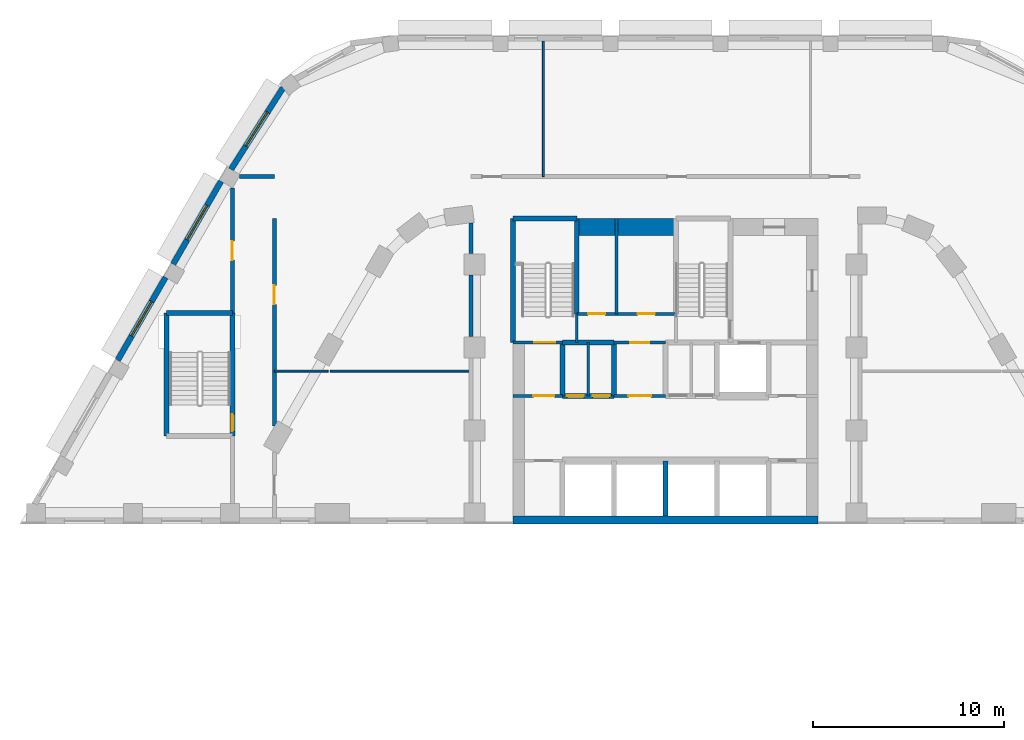
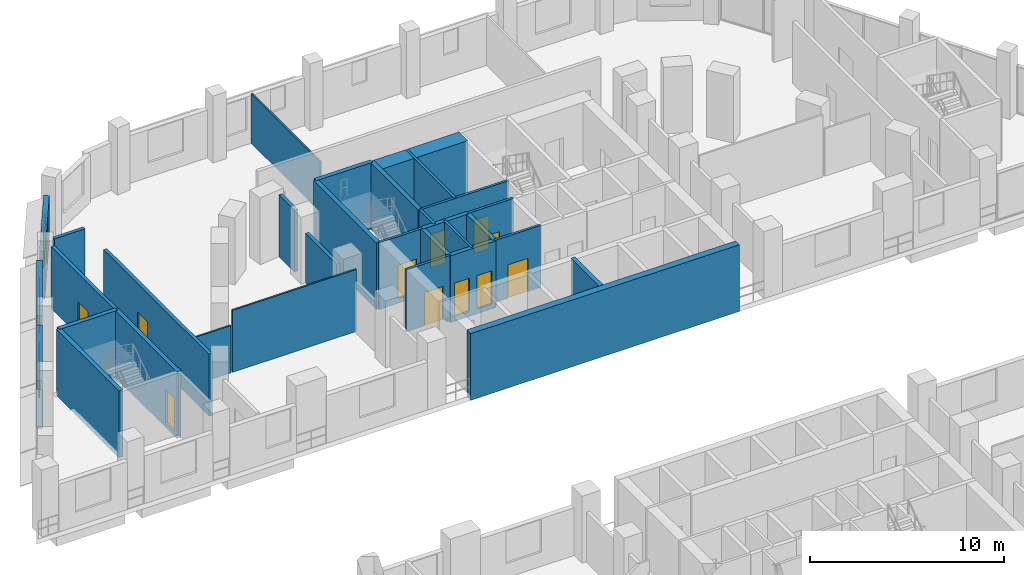
# One storey, part 17 of 45: 32 walls, 11 doors, 3 windows, 14 openings.
"""IFC4 building model written with IfcOpenShell, lengths in metres."""

from ifc_helpers import new_model, si_unit, direction, frame, frame_2d, origin, place, context, subcontext, project, spatial, rectangle, extrude, material, layer, layer_set, type_object, element, fill, save


model = new_model("IFC4")

# Units and contexts
model_context = context("Model", 3, precision=1e-05, world=origin(), true_north=direction((0.0, 1.0)))
body_context = subcontext(model_context, "Body", "Model", "MODEL_VIEW")
ifc_project = project(units=[si_unit("LENGTHUNIT", "METRE"), si_unit("AREAUNIT", "SQUARE_METRE"), si_unit("VOLUMEUNIT", "CUBIC_METRE"), si_unit("PLANEANGLEUNIT", "RADIAN"), si_unit("MASSUNIT", "GRAM", prefix="KILO")], contexts=[model_context])

# Site, building, storey
site_placement = place(None, origin())
site = spatial("IfcSite", under=ifc_project, at=site_placement, CompositionType="ELEMENT")
building_placement = place(site_placement, origin())
building = spatial("IfcBuilding", under=site, at=building_placement, Name="Nakaniwa Court", CompositionType="ELEMENT")
storey_placement = place(building_placement, frame((0.0, 0.0, 11.39990234375)))
storey = spatial("IfcBuildingStorey", under=building, at=storey_placement, Name="L02", CompositionType="ELEMENT", Elevation=11.39990234375)

# Wall
ifc_material_1 = material(Name="Acoustic double stud partition")
ifc_layer_1 = layer(ifc_material_1, 0.199951171875)
ifc_layer_set_1 = layer_set([ifc_layer_1], Name="Acoustic double stud partition")
wall_type_1 = type_object("IfcWallType", Name="Acoustic double stud partition 200", PredefinedType="PARTITIONING", material=ifc_layer_set_1)
wall_1_placement = place(storey_placement, frame((57.676513671875, 105.60009765625, 0.0), z_axis=(0.0, 0.0, 1.0), x_axis=(1.0, 0.0, 0.0)))
element("IfcWall", 1, at=wall_1_placement, inside=storey, type_object=wall_type_1, Name="Partition PW-089", PredefinedType="PARTITIONING", context=body_context, shape_type="SweptSolid", body=[
    extrude(rectangle(XDim=1.823486328125, YDim=0.199951171875, at=frame_2d((0.91162109375, 0.0))), origin(), (0.0, 0.0, 1.0), 3.900146484375),
])

# Wall, opening, door
wall_2_placement = place(storey_placement, frame((57.300048828125, 98.447021484375, 0.0), z_axis=(0.0, 0.0, 1.0), x_axis=(0.0, 1.0, 0.0)))
wall_2 = element("IfcWall", 2, at=wall_2_placement, inside=storey, type_object=wall_type_1, Name="Partition PW-097", PredefinedType="PARTITIONING", context=body_context, shape_type="SweptSolid", body=[
    extrude(rectangle(XDim=6.544189453125, YDim=0.199951171875, at=frame_2d((3.27197265625, 0.0))), origin(), (0.0, 0.0, 1.0), 3.900146484375),
])
opening_1_placement = place(wall_2_placement, frame((2.77197265625, 0.0, 0.0)))
opening_1 = element("IfcOpeningElement", 3, at=opening_1_placement, cuts=wall_2, Name="Opening D-02-01", PredefinedType="OPENING", context=body_context, shape_type="SweptSolid", body=[
    extrude(rectangle(XDim=1.0, YDim=2.10009765625, at=frame_2d((0.5, 1.050048828125))), frame((0.0, 0.10986328125, 0.0), z_axis=(0.0, -1.0, 0.0), x_axis=(1.0, 0.0, 0.0)), (0.0, 0.0, 1.0), 0.219970703125),
])
ifc_material_2 = material(Name="Solid core timber door set, black veneer", Category="wood")
door_type_1 = type_object("IfcDoorType", Name="Internal door 1000", OperationType="NOTDEFINED", PredefinedType="DOOR", material=ifc_material_2)
door_1_placement = place(opening_1_placement, origin())
door_1 = element("IfcDoor", 4, at=door_1_placement, inside=storey, type_object=door_type_1, Name="Door D-02-01 L02-031", OperationType="SINGLE_SWING_RIGHT", OverallHeight=2.10009765625, OverallWidth=1.0, PredefinedType="DOOR", context=body_context, shape_type="SweptSolid", body=[
    extrude(rectangle(XDim=1.0, YDim=2.10009765625, at=frame_2d((0.5, 1.050048828125))), frame((0.0, 0.02490234375, 0.0), z_axis=(0.0, -1.0, 0.0), x_axis=(1.0, 0.0, 0.0)), (0.0, 0.0, 1.0), 0.050048828125),
])
fill(opening_1, door_1)

wall_3_placement = place(storey_placement, frame((59.5, 103.403076171875, 0.0), z_axis=(0.0, 0.0, 1.0), x_axis=(0.0, -1.0, 0.0)))
wall_3 = element("IfcWall", 5, at=wall_3_placement, inside=storey, type_object=wall_type_1, Name="Partition PW-101", PredefinedType="PARTITIONING", context=body_context, shape_type="SweptSolid", body=[
    extrude(rectangle(XDim=10.873291015625, YDim=0.199951171875, at=frame_2d((5.4365234375, 0.0))), origin(), (0.0, 0.0, 1.0), 3.900146484375),
])
opening_2_placement = place(wall_3_placement, frame((3.5029296875, 0.0, 0.0)))
opening_2 = element("IfcOpeningElement", 6, at=opening_2_placement, cuts=wall_3, Name="Opening D-02-05", PredefinedType="OPENING", context=body_context, shape_type="SweptSolid", body=[
    extrude(rectangle(XDim=1.0, YDim=2.10009765625, at=frame_2d((0.5, 1.050048828125))), frame((0.0, 0.10986328125, 0.0), z_axis=(0.0, -1.0, 0.0), x_axis=(1.0, 0.0, 0.0)), (0.0, 0.0, 1.0), 0.219970703125),
])
door_2_placement = place(opening_2_placement, origin())
door_2 = element("IfcDoor", 7, at=door_2_placement, inside=storey, type_object=door_type_1, Name="Door D-02-05 L02-036", OperationType="SINGLE_SWING_LEFT", OverallHeight=2.10009765625, OverallWidth=1.0, PredefinedType="DOOR", context=body_context, shape_type="SweptSolid", body=[
    extrude(rectangle(XDim=1.0, YDim=2.10009765625, at=frame_2d((0.5, 1.050048828125))), frame((0.0, 0.02490234375, 0.0), z_axis=(0.0, -1.0, 0.0), x_axis=(1.0, 0.0, 0.0)), (0.0, 0.0, 1.0), 0.050048828125),
])
fill(opening_2, door_2)

# Walls
wall_4_placement = place(storey_placement, frame((69.800048828125, 97.217041015625, 0.0), z_axis=(0.0, 0.0, 1.0), x_axis=(0.0, 1.0, 0.0)))
element("IfcWall", 8, at=wall_4_placement, inside=storey, type_object=wall_type_1, Name="Partition PW-116", PredefinedType="PARTITIONING", context=body_context, shape_type="SweptSolid", body=[
    extrude(rectangle(XDim=3.216064453125, YDim=0.199951171875, at=frame_2d((1.60791015625, 0.0))), origin(), (0.0, 0.0, 1.0), 3.130126953125),
])
wall_5_placement = place(storey_placement, frame((69.800048828125, 101.56689453125, 0.0), z_axis=(0.0, 0.0, 1.0), x_axis=(0.0, 1.0, 0.0)))
element("IfcWall", 9, at=wall_5_placement, inside=storey, type_object=wall_type_1, Name="Partition PW-117", PredefinedType="PARTITIONING", context=body_context, shape_type="SweptSolid", body=[
    extrude(rectangle(XDim=1.59423828125, YDim=0.199951171875, at=frame_2d((0.797119140625, 0.0))), origin(), (0.0, 0.0, 1.0), 3.900146484375),
])

# Wall, opening, window
ifc_material_3 = material(Name="Charcoal ceramic cladding")
ifc_layer_2 = layer(ifc_material_3, 0.02, Name="Ceramic cladding")
ifc_material_4 = material(Name="Ventilated air cavity")
ifc_layer_3 = layer(ifc_material_4, 0.04, ventilated=True, Name="Ventilated cavity")
ifc_material_5 = material(Name="Mineral wool insulation")
ifc_layer_4 = layer(ifc_material_5, 0.1, Name="Insulation")
ifc_material_6 = material(Name="Cement bonded sheathing board")
ifc_layer_5 = layer(ifc_material_6, 0.012, Name="Sheathing")
ifc_material_7 = material(Name="Cold-formed galvanised stud frame with mineral wool infill")
ifc_layer_6 = layer(ifc_material_7, 0.1, Name="Stud frame")
ifc_material_8 = material(Name="Fire-rated gypsum plasterboard lining")
ifc_layer_7 = layer(ifc_material_8, 0.028, Name="Lining")
ifc_layer_set_2 = layer_set([ifc_layer_2, ifc_layer_3, ifc_layer_4, ifc_layer_5, ifc_layer_6, ifc_layer_7], Name="Charcoal ceramic faced external wall system")
wall_type_2 = type_object("IfcWallType", Name="Black ceramic faced external wall 300", PredefinedType="SOLIDWALL", material=ifc_layer_set_2)
wall_6_placement = place(storey_placement, frame((56.7080078125, 105.357177734375, 0.0), z_axis=(0.0, 0.0, 1.0), x_axis=(-0.500011252833, -0.866018906861, 0.0)))
wall_6 = element("IfcWall", 10, at=wall_6_placement, inside=storey, type_object=wall_type_2, Name="L02 external wall 27", PredefinedType="SOLIDWALL", context=body_context, shape_type="SweptSolid", body=[
    extrude(rectangle(XDim=5.02490234375, YDim=0.300048828125, at=frame_2d((2.512451171875, 0.0))), origin(), (0.0, 0.0, 1.0), 3.0),
])
opening_3_placement = place(wall_6_placement, frame((1.46240234375, 0.0, 0.89990234375)))
opening_3 = element("IfcOpeningElement", 11, at=opening_3_placement, cuts=wall_6, Name="Opening W2.22", PredefinedType="OPENING", context=body_context, shape_type="SweptSolid", body=[
    extrude(rectangle(XDim=2.10009765625, YDim=2.050048828125, at=frame_2d((1.050048828125, 1.02490234375))), frame((0.0, 0.159912109375, 0.0), z_axis=(0.0, -1.0, 0.0), x_axis=(1.0, 0.0, 0.0)), (0.0, 0.0, 1.0), 0.320068359375),
])
ifc_material_9 = material(Name="Black anodised aluminium frame with dark low-E laminated double glazing", Category="aluminium")
window_type = type_object("IfcWindowType", Name="Dark glass window 2100x2050 sill 900", PartitioningType="SINGLE_PANEL", PredefinedType="WINDOW", material=ifc_material_9)
window_1_placement = place(opening_3_placement, origin())
window_1 = element("IfcWindow", 12, at=window_1_placement, inside=storey, type_object=window_type, Name="L02 habitable room window 27-0", OverallHeight=2.050048828125, OverallWidth=2.10009765625, PartitioningType="SINGLE_PANEL", PredefinedType="WINDOW", context=body_context, shape_type="SweptSolid", body=[
    extrude(rectangle(XDim=2.10009765625, YDim=2.050048828125, at=frame_2d((1.050048828125, 1.02490234375))), frame((0.0, 0.030029296875, 0.0), z_axis=(0.0, -1.0, 0.0), x_axis=(1.0, 0.0, 0.0)), (0.0, 0.0, 1.0), 0.06005859375),
])
fill(opening_3, window_1)

wall_7_placement = place(storey_placement, frame((53.799560546875, 100.319580078125, 0.0), z_axis=(0.0, 0.0, 1.0), x_axis=(-0.499974811625, -0.866039945811, 0.0)))
wall_7 = element("IfcWall", 13, at=wall_7_placement, inside=storey, type_object=wall_type_2, Name="L02 external wall 28", PredefinedType="SOLIDWALL", context=body_context, shape_type="SweptSolid", body=[
    extrude(rectangle(XDim=5.024658203125, YDim=0.300048828125, at=frame_2d((2.51220703125, 0.0))), origin(), (0.0, 0.0, 1.0), 3.0),
])
opening_4_placement = place(wall_7_placement, frame((1.46240234375, 0.0, 0.89990234375)))
opening_4 = element("IfcOpeningElement", 14, at=opening_4_placement, cuts=wall_7, Name="Opening W2.23", PredefinedType="OPENING", context=body_context, shape_type="SweptSolid", body=[
    extrude(rectangle(XDim=2.10009765625, YDim=2.050048828125, at=frame_2d((1.050048828125, 1.02490234375))), frame((0.0, 0.159912109375, 0.0), z_axis=(0.0, -1.0, 0.0), x_axis=(1.0, 0.0, 0.0)), (0.0, 0.0, 1.0), 0.320068359375),
])
window_2_placement = place(opening_4_placement, origin())
window_2 = element("IfcWindow", 15, at=window_2_placement, inside=storey, type_object=window_type, Name="L02 habitable room window 28-0", OverallHeight=2.050048828125, OverallWidth=2.10009765625, PartitioningType="SINGLE_PANEL", PredefinedType="WINDOW", context=body_context, shape_type="SweptSolid", body=[
    extrude(rectangle(XDim=2.10009765625, YDim=2.050048828125, at=frame_2d((1.050048828125, 1.02490234375))), frame((0.0, 0.030029296875, 0.0), z_axis=(0.0, -1.0, 0.0), x_axis=(1.0, 0.0, 0.0)), (0.0, 0.0, 1.0), 0.06005859375),
])
fill(opening_4, window_2)

wall_8_placement = place(storey_placement, frame((59.95361328125, 110.24755859375, 0.0), z_axis=(0.0, 0.0, 1.0), x_axis=(-0.537224370512, -0.843439372882, 0.0)))
wall_8 = element("IfcWall", 16, at=wall_8_placement, inside=storey, type_object=wall_type_2, Name="L02 external wall 53", PredefinedType="SOLIDWALL", context=body_context, shape_type="SweptSolid", body=[
    extrude(rectangle(XDim=5.07080078125, YDim=0.300048828125, at=frame_2d((2.535400390625, 0.0))), origin(), (0.0, 0.0, 1.0), 3.0),
])
opening_5_placement = place(wall_8_placement, frame((1.51318359375, 0.0, 0.89990234375)))
opening_5 = element("IfcOpeningElement", 17, at=opening_5_placement, cuts=wall_8, Name="Opening W2.40", PredefinedType="OPENING", context=body_context, shape_type="SweptSolid", body=[
    extrude(rectangle(XDim=2.10009765625, YDim=2.050048828125, at=frame_2d((1.050048828125, 1.02490234375))), frame((0.0, 0.159912109375, 0.0), z_axis=(0.0, -1.0, 0.0), x_axis=(1.0, 0.0, 0.0)), (0.0, 0.0, 1.0), 0.320068359375),
])
window_3_placement = place(opening_5_placement, origin())
window_3 = element("IfcWindow", 18, at=window_3_placement, inside=storey, type_object=window_type, Name="L02 habitable room window 53-0", OverallHeight=2.050048828125, OverallWidth=2.10009765625, PartitioningType="SINGLE_PANEL", PredefinedType="WINDOW", context=body_context, shape_type="SweptSolid", body=[
    extrude(rectangle(XDim=2.10009765625, YDim=2.050048828125, at=frame_2d((1.050048828125, 1.02490234375))), frame((0.0, 0.030029296875, 0.0), z_axis=(0.0, -1.0, 0.0), x_axis=(1.0, 0.0, 0.0)), (0.0, 0.0, 1.0), 0.06005859375),
])
fill(opening_5, window_3)

# Wall, opening, door
ifc_material_10 = material(Name="Blockwork partition", Category="masonry")
ifc_layer_8 = layer(ifc_material_10, 0.14990234375)
ifc_layer_set_3 = layer_set([ifc_layer_8], Name="Blockwork partition")
wall_type_3 = type_object("IfcWallType", Name="Blockwork partition 150", PredefinedType="PARTITIONING", material=ifc_layer_set_3)
wall_9_placement = place(storey_placement, frame((72.0, 94.10009765625, 0.0), z_axis=(0.0, 0.0, 1.0), x_axis=(1.0, 0.0, 0.0)))
wall_9 = element("IfcWall", 19, at=wall_9_placement, inside=storey, type_object=wall_type_3, Name="Partition PW-016", PredefinedType="PARTITIONING", context=body_context, shape_type="SweptSolid", body=[
    extrude(rectangle(XDim=2.60302734375, YDim=0.14990234375, at=frame_2d((1.301513671875, 0.0))), origin(), (0.0, 0.0, 1.0), 3.900146484375),
])
opening_6_placement = place(wall_9_placement, frame((1.074951171875, 0.0, 0.0)))
opening_6 = element("IfcOpeningElement", 20, at=opening_6_placement, cuts=wall_9, Name="Opening D-08-01", PredefinedType="OPENING", context=body_context, shape_type="SweptSolid", body=[
    extrude(rectangle(XDim=1.10009765625, YDim=2.10009765625, at=frame_2d((0.550048828125, 1.050048828125))), frame((0.0, 0.0849609375, 0.0), z_axis=(0.0, -1.0, 0.0), x_axis=(1.0, 0.0, 0.0)), (0.0, 0.0, 1.0), 0.169921875),
])
ifc_material_11 = material(Name="Fire rated steel door set", Category="steel")
door_type_2 = type_object("IfcDoorType", Name="Stair lobby door 1100", OperationType="NOTDEFINED", PredefinedType="DOOR", material=ifc_material_11)
door_3_placement = place(opening_6_placement, origin())
door_3 = element("IfcDoor", 21, at=door_3_placement, inside=storey, type_object=door_type_2, Name="Door D-08-01 L02-003", OperationType="SINGLE_SWING_RIGHT", OverallHeight=2.10009765625, OverallWidth=1.10009765625, PredefinedType="DOOR", context=body_context, shape_type="SweptSolid", body=[
    extrude(rectangle(XDim=1.10009765625, YDim=2.10009765625, at=frame_2d((0.550048828125, 1.050048828125))), frame((0.0, 0.02490234375, 0.0), z_axis=(0.0, -1.0, 0.0), x_axis=(1.0, 0.0, 0.0)), (0.0, 0.0, 1.0), 0.050048828125),
])
fill(opening_6, door_3)

wall_10_placement = place(storey_placement, frame((77.297119140625, 94.10009765625, 0.0), z_axis=(0.0, 0.0, 1.0), x_axis=(1.0, 0.0, 0.0)))
wall_10 = element("IfcWall", 22, at=wall_10_placement, inside=storey, type_object=wall_type_3, Name="Partition PW-017", PredefinedType="PARTITIONING", context=body_context, shape_type="SweptSolid", body=[
    extrude(rectangle(XDim=2.705810546875, YDim=0.14990234375, at=frame_2d((1.35302734375, 0.0))), origin(), (0.0, 0.0, 1.0), 3.900146484375),
])
opening_7_placement = place(wall_10_placement, frame((0.7529296875, 0.0, 0.0)))
opening_7 = element("IfcOpeningElement", 23, at=opening_7_placement, cuts=wall_10, Name="Opening D-06-01", PredefinedType="OPENING", context=body_context, shape_type="SweptSolid", body=[
    extrude(rectangle(XDim=1.199951171875, YDim=2.10009765625, at=frame_2d((0.60009765625, 1.050048828125))), frame((0.0, 0.0849609375, 0.0), z_axis=(0.0, -1.0, 0.0), x_axis=(1.0, 0.0, 0.0)), (0.0, 0.0, 1.0), 0.169921875),
])
ifc_material_12 = material(Name="Fire rated steel double door set", Category="steel")
door_type_3 = type_object("IfcDoorType", Name="Service passage double door 1200", OperationType="NOTDEFINED", PredefinedType="DOOR", material=ifc_material_12)
door_4_placement = place(opening_7_placement, origin())
door_4 = element("IfcDoor", 24, at=door_4_placement, inside=storey, type_object=door_type_3, Name="Door D-06-01 L02-006", OperationType="DOUBLE_DOOR_SINGLE_SWING", OverallHeight=2.10009765625, OverallWidth=1.199951171875, PredefinedType="DOOR", context=body_context, shape_type="SweptSolid", body=[
    extrude(rectangle(XDim=1.199951171875, YDim=2.10009765625, at=frame_2d((0.60009765625, 1.050048828125))), frame((0.0, 0.02490234375, 0.0), z_axis=(0.0, -1.0, 0.0), x_axis=(1.0, 0.0, 0.0)), (0.0, 0.0, 1.0), 0.050048828125),
])
fill(opening_7, door_4)

# Wall
wall_11_placement = place(storey_placement, frame((75.949951171875, 94.10009765625, 0.0), z_axis=(0.0, 0.0, 1.0), x_axis=(0.0, 1.0, 0.0)))
element("IfcWall", 25, at=wall_11_placement, inside=storey, type_object=wall_type_3, Name="Partition PW-023", PredefinedType="PARTITIONING", context=body_context, shape_type="SweptSolid", body=[
    extrude(rectangle(XDim=2.7998046875, YDim=0.14990234375, at=frame_2d((1.39990234375, 0.0))), origin(), (0.0, 0.0, 1.0), 3.900146484375),
])

# Wall, opening, door
wall_12_placement = place(storey_placement, frame((77.300048828125, 96.89990234375, 0.0), z_axis=(0.0, 0.0, 1.0), x_axis=(1.0, 0.0, 0.0)))
wall_12 = element("IfcWall", 26, at=wall_12_placement, inside=storey, type_object=wall_type_3, Name="Partition PW-026", PredefinedType="PARTITIONING", context=body_context, shape_type="SweptSolid", body=[
    extrude(rectangle(XDim=2.699951171875, YDim=0.14990234375, at=frame_2d((1.35009765625, 0.0))), origin(), (0.0, 0.0, 1.0), 3.900146484375),
])
opening_8_placement = place(wall_12_placement, frame((0.85009765625, 0.0, 0.0)))
opening_8 = element("IfcOpeningElement", 27, at=opening_8_placement, cuts=wall_12, Name="Opening D-23-01", PredefinedType="OPENING", context=body_context, shape_type="SweptSolid", body=[
    extrude(rectangle(XDim=1.0, YDim=2.10009765625, at=frame_2d((0.5, 1.050048828125))), frame((0.0, 0.0849609375, 0.0), z_axis=(0.0, -1.0, 0.0), x_axis=(1.0, 0.0, 0.0)), (0.0, 0.0, 1.0), 0.169921875),
])
door_type_4 = type_object("IfcDoorType", Name="Service room door 1000", OperationType="NOTDEFINED", PredefinedType="DOOR", material=ifc_material_11)
door_5_placement = place(opening_8_placement, origin())
door_5 = element("IfcDoor", 28, at=door_5_placement, inside=storey, type_object=door_type_4, Name="Door D-23-01 L02-010", OperationType="SINGLE_SWING_LEFT", OverallHeight=2.10009765625, OverallWidth=1.0, PredefinedType="DOOR", context=body_context, shape_type="SweptSolid", body=[
    extrude(rectangle(XDim=1.0, YDim=2.10009765625, at=frame_2d((0.5, 1.050048828125))), frame((0.0, 0.02490234375, 0.0), z_axis=(0.0, -1.0, 0.0), x_axis=(1.0, 0.0, 0.0)), (0.0, 0.0, 1.0), 0.050048828125),
])
fill(opening_8, door_5)

# Wall, openings, doors
wall_13_placement = place(storey_placement, frame((75.35009765625, 98.39990234375, 0.0), z_axis=(0.0, 0.0, 1.0), x_axis=(1.0, 0.0, 0.0)))
wall_13 = element("IfcWall", 29, at=wall_13_placement, inside=storey, type_object=wall_type_3, Name="Partition PW-038", PredefinedType="PARTITIONING", context=body_context, shape_type="SweptSolid", body=[
    extrude(rectangle(XDim=5.199951171875, YDim=0.14990234375, at=frame_2d((2.60009765625, 0.0))), origin(), (0.0, 0.0, 1.0), 3.900146484375),
])
opening_9_placement = place(wall_13_placement, frame((0.590087890625, 0.0, 0.0)))
opening_9 = element("IfcOpeningElement", 30, at=opening_9_placement, cuts=wall_13, Name="Opening D-05-08", PredefinedType="OPENING", context=body_context, shape_type="SweptSolid", body=[
    extrude(rectangle(XDim=0.89990234375, YDim=2.10009765625, at=frame_2d((0.449951171875, 1.050048828125))), frame((0.0, 0.0849609375, 0.0), z_axis=(0.0, -1.0, 0.0), x_axis=(1.0, 0.0, 0.0)), (0.0, 0.0, 1.0), 0.169921875),
])
opening_10_placement = place(wall_13_placement, frame((3.18994140625, 0.0, 0.0)))
opening_10 = element("IfcOpeningElement", 31, at=opening_10_placement, cuts=wall_13, Name="Opening D-05-09", PredefinedType="OPENING", context=body_context, shape_type="SweptSolid", body=[
    extrude(rectangle(XDim=0.89990234375, YDim=2.10009765625, at=frame_2d((0.449951171875, 1.050048828125))), frame((0.0, 0.0849609375, 0.0), z_axis=(0.0, -1.0, 0.0), x_axis=(1.0, 0.0, 0.0)), (0.0, 0.0, 1.0), 0.169921875),
])
door_type_5 = type_object("IfcDoorType", Name="Service room door 900", OperationType="NOTDEFINED", PredefinedType="DOOR", material=ifc_material_11)
door_6_placement = place(opening_9_placement, origin())
door_6 = element("IfcDoor", 32, at=door_6_placement, inside=storey, type_object=door_type_5, Name="Door D-05-08 L02-011", OperationType="SINGLE_SWING_RIGHT", OverallHeight=2.10009765625, OverallWidth=0.89990234375, PredefinedType="DOOR", context=body_context, shape_type="SweptSolid", body=[
    extrude(rectangle(XDim=0.89990234375, YDim=2.10009765625, at=frame_2d((0.449951171875, 1.050048828125))), frame((0.0, 0.02490234375, 0.0), z_axis=(0.0, -1.0, 0.0), x_axis=(1.0, 0.0, 0.0)), (0.0, 0.0, 1.0), 0.050048828125),
])
fill(opening_9, door_6)
door_7_placement = place(opening_10_placement, origin())
door_7 = element("IfcDoor", 33, at=door_7_placement, inside=storey, type_object=door_type_5, Name="Door D-05-09 L02-012", OperationType="SINGLE_SWING_LEFT", OverallHeight=2.10009765625, OverallWidth=0.89990234375, PredefinedType="DOOR", context=body_context, shape_type="SweptSolid", body=[
    extrude(rectangle(XDim=0.89990234375, YDim=2.10009765625, at=frame_2d((0.449951171875, 1.050048828125))), frame((0.0, 0.02490234375, 0.0), z_axis=(0.0, -1.0, 0.0), x_axis=(1.0, 0.0, 0.0)), (0.0, 0.0, 1.0), 0.050048828125),
])
fill(opening_10, door_7)

# Wall
wall_14_placement = place(storey_placement, frame((77.429931640625, 98.39990234375, 0.0), z_axis=(0.0, 0.0, 1.0), x_axis=(0.0, 1.0, 0.0)))
element("IfcWall", 34, at=wall_14_placement, inside=storey, type_object=wall_type_3, Name="Partition PW-039", PredefinedType="PARTITIONING", context=body_context, shape_type="SweptSolid", body=[
    extrude(rectangle(XDim=5.0, YDim=0.14990234375, at=frame_2d((2.5, 0.0))), origin(), (0.0, 0.0, 1.0), 3.900146484375),
])

# Wall, opening, door
ifc_material_13 = material(Name="Concrete C100/115", Category="concrete")
ifc_layer_9 = layer(ifc_material_13, 0.14990234375)
ifc_layer_set_4 = layer_set([ifc_layer_9], Name="Concrete C100/115")
wall_type_4 = type_object("IfcWallType", Name="Concrete core wall 150 C100", PredefinedType="SHEAR", material=ifc_layer_set_4)
wall_15_placement = place(storey_placement, frame((74.60009765625, 96.89990234375, -0.2998046875), z_axis=(0.0, 0.0, 1.0), x_axis=(-1.0, 0.0, 0.0)))
wall_15 = element("IfcWall", 35, at=wall_15_placement, inside=storey, type_object=wall_type_4, Name="Core wall SW-22", PredefinedType="SHEAR", context=body_context, shape_type="SweptSolid", body=[
    extrude(rectangle(XDim=2.60009765625, YDim=0.14990234375, at=frame_2d((1.300048828125, 0.0))), origin(), (0.0, 0.0, 1.0), 4.199951171875),
])
opening_11_placement = place(wall_15_placement, frame((0.3701171875, 0.0, 0.300048828125)))
opening_11 = element("IfcOpeningElement", 36, at=opening_11_placement, cuts=wall_15, Name="Opening D-09-01", PredefinedType="OPENING", context=body_context, shape_type="SweptSolid", body=[
    extrude(rectangle(XDim=1.10009765625, YDim=2.10009765625, at=frame_2d((0.550048828125, 1.050048828125))), frame((0.0, 0.0849609375, 0.0), z_axis=(0.0, -1.0, 0.0), x_axis=(1.0, 0.0, 0.0)), (0.0, 0.0, 1.0), 0.169921875),
])
door_type_6 = type_object("IfcDoorType", Name="Stair door 1100", OperationType="NOTDEFINED", PredefinedType="DOOR", material=ifc_material_11)
door_8_placement = place(opening_11_placement, origin())
door_8 = element("IfcDoor", 37, at=door_8_placement, inside=storey, type_object=door_type_6, Name="Door D-09-01 L02-013", OperationType="SINGLE_SWING_LEFT", OverallHeight=2.10009765625, OverallWidth=1.10009765625, PredefinedType="DOOR", context=body_context, shape_type="SweptSolid", body=[
    extrude(rectangle(XDim=1.10009765625, YDim=2.10009765625, at=frame_2d((0.550048828125, 1.050048828125))), frame((0.0, 0.02490234375, 0.0), z_axis=(0.0, -1.0, 0.0), x_axis=(1.0, 0.0, 0.0)), (0.0, 0.0, 1.0), 0.050048828125),
])
fill(opening_11, door_8)

# Walls
wall_16_placement = place(storey_placement, frame((75.35009765625, 96.89990234375, -0.2998046875), z_axis=(0.0, 0.0, 1.0), x_axis=(0.0, 1.0, 0.0)))
element("IfcWall", 38, at=wall_16_placement, inside=storey, type_object=wall_type_4, Name="Core wall SW-28", PredefinedType="SHEAR", context=body_context, shape_type="SweptSolid", body=[
    extrude(rectangle(XDim=1.503173828125, YDim=0.14990234375, at=frame_2d((0.75146484375, 0.0))), origin(), (0.0, 0.0, 1.0), 4.199951171875),
])
ifc_layer_10 = layer(ifc_material_13, 0.25)
ifc_layer_set_5 = layer_set([ifc_layer_10], Name="Concrete C100/115")
wall_type_5 = type_object("IfcWallType", Name="Concrete core wall 250 C100", PredefinedType="SHEAR", material=ifc_layer_set_5)
wall_17_placement = place(storey_placement, frame((72.0, 96.89990234375, -0.2998046875), z_axis=(0.0, 0.0, 1.0), x_axis=(0.0, 1.0, 0.0)))
element("IfcWall", 39, at=wall_17_placement, inside=storey, type_object=wall_type_5, Name="Core wall SW-30", PredefinedType="SHEAR", context=body_context, shape_type="SweptSolid", body=[
    extrude(rectangle(XDim=6.5, YDim=0.25, at=frame_2d((3.25, 0.0))), origin(), (0.0, 0.0, 1.0), 4.199951171875),
])
wall_18_placement = place(storey_placement, frame((72.0, 103.39990234375, -0.2998046875), z_axis=(0.0, 0.0, 1.0), x_axis=(1.0, 0.0, 0.0)))
element("IfcWall", 40, at=wall_18_placement, inside=storey, type_object=wall_type_5, Name="Core wall SW-31", PredefinedType="SHEAR", context=body_context, shape_type="SweptSolid", body=[
    extrude(rectangle(XDim=3.35009765625, YDim=0.25, at=frame_2d((1.675048828125, 0.0))), origin(), (0.0, 0.0, 1.0), 4.199951171875),
])

# Wall, opening, door
wall_19_placement = place(storey_placement, frame((57.300048828125, 98.452880859375, -0.2998046875), z_axis=(0.0, 0.0, 1.0), x_axis=(0.0, -1.0, 0.0)))
wall_19 = element("IfcWall", 41, at=wall_19_placement, inside=storey, type_object=wall_type_5, Name="Core wall SW-93", PredefinedType="SHEAR", context=body_context, shape_type="SweptSolid", body=[
    extrude(rectangle(XDim=6.455810546875, YDim=0.25, at=frame_2d((3.22802734375, 0.0))), origin(), (0.0, 0.0, 1.0), 4.199951171875),
])
opening_12_placement = place(wall_19_placement, frame((5.305908203125, 0.0, 0.300048828125)))
opening_12 = element("IfcOpeningElement", 42, at=opening_12_placement, cuts=wall_19, Name="Opening D-11-04", PredefinedType="OPENING", context=body_context, shape_type="SweptSolid", body=[
    extrude(rectangle(XDim=0.89990234375, YDim=2.10009765625, at=frame_2d((0.449951171875, 1.050048828125))), frame((0.0, 0.135009765625, 0.0), z_axis=(0.0, -1.0, 0.0), x_axis=(1.0, 0.0, 0.0)), (0.0, 0.0, 1.0), 0.27001953125),
])
door_type_7 = type_object("IfcDoorType", Name="Stair door 900", OperationType="NOTDEFINED", PredefinedType="DOOR", material=ifc_material_11)
door_9_placement = place(opening_12_placement, origin())
door_9 = element("IfcDoor", 43, at=door_9_placement, inside=storey, type_object=door_type_7, Name="Door D-11-04 L02-030", OperationType="SINGLE_SWING_RIGHT", OverallHeight=2.10009765625, OverallWidth=0.89990234375, PredefinedType="DOOR", context=body_context, shape_type="SweptSolid", body=[
    extrude(rectangle(XDim=0.89990234375, YDim=2.10009765625, at=frame_2d((0.449951171875, 1.050048828125))), frame((0.0, 0.02490234375, 0.0), z_axis=(0.0, -1.0, 0.0), x_axis=(1.0, 0.0, 0.0)), (0.0, 0.0, 1.0), 0.050048828125),
])
fill(opening_12, door_9)

# Walls
wall_20_placement = place(storey_placement, frame((53.85009765625, 98.449951171875, -0.2998046875), z_axis=(0.0, 0.0, 1.0), x_axis=(1.0, 0.0, 0.0)))
element("IfcWall", 44, at=wall_20_placement, inside=storey, type_object=wall_type_5, Name="Core wall SW-120", PredefinedType="SHEAR", context=body_context, shape_type="SweptSolid", body=[
    extrude(rectangle(XDim=3.449951171875, YDim=0.25, at=frame_2d((1.72509765625, 0.0))), origin(), (0.0, 0.0, 1.0), 4.199951171875),
])
wall_21_placement = place(storey_placement, frame((53.85009765625, 92.0, -0.2998046875), z_axis=(0.0, 0.0, 1.0), x_axis=(0.0, 1.0, 0.0)))
element("IfcWall", 45, at=wall_21_placement, inside=storey, type_object=wall_type_5, Name="Core wall SW-125", PredefinedType="SHEAR", context=body_context, shape_type="SweptSolid", body=[
    extrude(rectangle(XDim=6.449951171875, YDim=0.25, at=frame_2d((3.22509765625, 0.0))), origin(), (0.0, 0.0, 1.0), 4.199951171875),
])
ifc_layer_11 = layer(ifc_material_13, 0.89990234375)
ifc_layer_set_6 = layer_set([ifc_layer_11], Name="Concrete C100/115")
wall_type_6 = type_object("IfcWallType", Name="Concrete core wall 900 C100", PredefinedType="SHEAR", material=ifc_layer_set_6)
wall_22_placement = place(storey_placement, frame((75.35009765625, 102.949951171875, -0.2998046875), z_axis=(0.0, 0.0, 1.0), x_axis=(1.0, 0.0, 0.0)))
element("IfcWall", 46, at=wall_22_placement, inside=storey, type_object=wall_type_6, Name="Core wall SW-36", PredefinedType="SHEAR", context=body_context, shape_type="SweptSolid", body=[
    extrude(rectangle(XDim=5.199951171875, YDim=0.89990234375, at=frame_2d((2.60009765625, 0.0))), origin(), (0.0, 0.0, 1.0), 4.199951171875),
])
ifc_layer_12 = layer(ifc_material_13, 0.39990234375)
ifc_layer_set_7 = layer_set([ifc_layer_12], Name="Concrete C100/115")
wall_type_7 = type_object("IfcWallType", Name="Concrete core well wall 400 C100", PredefinedType="SHEAR", material=ifc_layer_set_7)
wall_23_placement = place(storey_placement, frame((72.00390625, 87.60009765625, -0.2998046875), z_axis=(0.0, 0.0, 1.0), x_axis=(1.0, 0.0, 0.0)))
element("IfcWall", 47, at=wall_23_placement, inside=storey, type_object=wall_type_7, Name="Core wall SW-152", PredefinedType="SHEAR", context=body_context, shape_type="SweptSolid", body=[
    extrude(rectangle(XDim=15.9921875, YDim=0.39990234375, at=frame_2d((7.99609375, 0.0))), origin(), (0.0, 0.0, 1.0), 4.199951171875),
])
ifc_layer_13 = layer(ifc_material_13, 0.25)
ifc_layer_set_8 = layer_set([ifc_layer_13], Name="Concrete C100/115")
wall_type_8 = type_object("IfcWallType", Name="Concrete shaft wall 250 C100", PredefinedType="SHEAR", material=ifc_layer_set_8)
for number, where, z_axis, x_axis, name in (
    (48, (74.60009765625, 94.10009765625, -0.2998046875), (0.0, 0.0, 1.0), (0.0, 1.0, 0.0), "Core wall SW-02"),
    (49, (77.300048828125, 94.10009765625, -0.2998046875), (0.0, 0.0, 1.0), (0.0, 1.0, 0.0), "Core wall SW-06"),
):
    element("IfcWall", number, at=place(storey_placement, frame(where, z_axis=z_axis, x_axis=x_axis)), inside=storey, type_object=wall_type_8, Name=name, PredefinedType="SHEAR", context=body_context, shape_type="SweptSolid", body=[
        extrude(rectangle(XDim=2.7998046875, YDim=0.25, at=frame_2d((1.39990234375, 0.0))), origin(), (0.0, 0.0, 1.0), 4.199951171875),
    ])
wall_24_placement = place(storey_placement, frame((80.0, 87.800048828125, -0.2998046875), z_axis=(0.0, 0.0, 1.0), x_axis=(0.0, 1.0, 0.0)))
element("IfcWall", 50, at=wall_24_placement, inside=storey, type_object=wall_type_8, Name="Core wall SW-08", PredefinedType="SHEAR", context=body_context, shape_type="SweptSolid", body=[
    extrude(rectangle(XDim=2.89990234375, YDim=0.25, at=frame_2d((1.449951171875, 0.0))), origin(), (0.0, 0.0, 1.0), 4.199951171875),
])

# Wall, openings, doors
wall_25_placement = place(storey_placement, frame((74.596923828125, 94.10009765625, -0.2998046875), z_axis=(0.0, 0.0, 1.0), x_axis=(1.0, 0.0, 0.0)))
wall_25 = element("IfcWall", 51, at=wall_25_placement, inside=storey, type_object=wall_type_8, Name="Core wall SW-19", PredefinedType="SHEAR", context=body_context, shape_type="SweptSolid", body=[
    extrude(rectangle(XDim=2.7060546875, YDim=0.25, at=frame_2d((1.35302734375, 0.0))), origin(), (0.0, 0.0, 1.0), 4.199951171875),
])
opening_13_placement = place(wall_25_placement, frame((0.22802734375, 0.0, 0.300048828125)))
opening_13 = element("IfcOpeningElement", 52, at=opening_13_placement, cuts=wall_25, Name="Opening D-05-03", PredefinedType="OPENING", context=body_context, shape_type="SweptSolid", body=[
    extrude(rectangle(XDim=0.89990234375, YDim=2.10009765625, at=frame_2d((0.449951171875, 1.050048828125))), frame((0.0, 0.135009765625, 0.0), z_axis=(0.0, -1.0, 0.0), x_axis=(1.0, 0.0, 0.0)), (0.0, 0.0, 1.0), 0.27001953125),
])
opening_14_placement = place(wall_25_placement, frame((1.577880859375, 0.0, 0.300048828125)))
opening_14 = element("IfcOpeningElement", 53, at=opening_14_placement, cuts=wall_25, Name="Opening D-05-04", PredefinedType="OPENING", context=body_context, shape_type="SweptSolid", body=[
    extrude(rectangle(XDim=0.89990234375, YDim=2.10009765625, at=frame_2d((0.449951171875, 1.050048828125))), frame((0.0, 0.135009765625, 0.0), z_axis=(0.0, -1.0, 0.0), x_axis=(1.0, 0.0, 0.0)), (0.0, 0.0, 1.0), 0.27001953125),
])
door_10_placement = place(opening_13_placement, origin())
door_10 = element("IfcDoor", 54, at=door_10_placement, inside=storey, type_object=door_type_5, Name="Door D-05-03 L02-004", OperationType="SINGLE_SWING_LEFT", OverallHeight=2.10009765625, OverallWidth=0.89990234375, PredefinedType="DOOR", context=body_context, shape_type="SweptSolid", body=[
    extrude(rectangle(XDim=0.89990234375, YDim=2.10009765625, at=frame_2d((0.449951171875, 1.050048828125))), frame((0.0, 0.02490234375, 0.0), z_axis=(0.0, -1.0, 0.0), x_axis=(1.0, 0.0, 0.0)), (0.0, 0.0, 1.0), 0.050048828125),
])
fill(opening_13, door_10)
door_11_placement = place(opening_14_placement, origin())
door_11 = element("IfcDoor", 55, at=door_11_placement, inside=storey, type_object=door_type_5, Name="Door D-05-04 L02-005", OperationType="SINGLE_SWING_RIGHT", OverallHeight=2.10009765625, OverallWidth=0.89990234375, PredefinedType="DOOR", context=body_context, shape_type="SweptSolid", body=[
    extrude(rectangle(XDim=0.89990234375, YDim=2.10009765625, at=frame_2d((0.449951171875, 1.050048828125))), frame((0.0, 0.02490234375, 0.0), z_axis=(0.0, -1.0, 0.0), x_axis=(1.0, 0.0, 0.0)), (0.0, 0.0, 1.0), 0.050048828125),
])
fill(opening_14, door_11)

# Walls
wall_26_placement = place(storey_placement, frame((74.60009765625, 96.89990234375, -0.2998046875), z_axis=(0.0, 0.0, 1.0), x_axis=(1.0, 0.0, 0.0)))
element("IfcWall", 56, at=wall_26_placement, inside=storey, type_object=wall_type_8, Name="Core wall SW-24", PredefinedType="SHEAR", context=body_context, shape_type="SweptSolid", body=[
    extrude(rectangle(XDim=2.699951171875, YDim=0.25, at=frame_2d((1.35009765625, 0.0))), origin(), (0.0, 0.0, 1.0), 4.199951171875),
])
wall_27_placement = place(storey_placement, frame((75.35009765625, 98.39697265625, -0.2998046875), z_axis=(0.0, 0.0, 1.0), x_axis=(0.0, 1.0, 0.0)))
element("IfcWall", 57, at=wall_27_placement, inside=storey, type_object=wall_type_8, Name="Core wall SW-29", PredefinedType="SHEAR", context=body_context, shape_type="SweptSolid", body=[
    extrude(rectangle(XDim=5.0029296875, YDim=0.25, at=frame_2d((2.50146484375, 0.0))), origin(), (0.0, 0.0, 1.0), 4.199951171875),
])
ifc_material_14 = material(Name="Single stud plasterboard partition")
ifc_layer_14 = layer(ifc_material_14, 0.10009765625)
ifc_layer_set_9 = layer_set([ifc_layer_14], Name="Single stud plasterboard partition")
wall_type_9 = type_object("IfcWallType", Name="Single stud plasterboard partition 100", PredefinedType="PARTITIONING", material=ifc_layer_set_9)
wall_28_placement = place(storey_placement, frame((59.5, 95.39990234375, 0.0), z_axis=(0.0, 0.0, 1.0), x_axis=(1.0, 0.0, 0.0)))
element("IfcWall", 58, at=wall_28_placement, inside=storey, type_object=wall_type_9, Name="Partition PW-126", PredefinedType="PARTITIONING", context=body_context, shape_type="SweptSolid", body=[
    extrude(rectangle(XDim=2.819580078125, YDim=0.10009765625, at=frame_2d((1.40966796875, 0.0))), origin(), (0.0, 0.0, 1.0), 2.97998046875),
])
wall_29_placement = place(storey_placement, frame((62.43359375, 95.39990234375, 0.0), z_axis=(0.0, 0.0, 1.0), x_axis=(1.0, 0.0, 0.0)))
element("IfcWall", 59, at=wall_29_placement, inside=storey, type_object=wall_type_9, Name="Partition PW-127", PredefinedType="PARTITIONING", context=body_context, shape_type="SweptSolid", body=[
    extrude(rectangle(XDim=7.366455078125, YDim=0.10009765625, at=frame_2d((3.68310546875, 0.0))), origin(), (0.0, 0.0, 1.0), 3.900146484375),
])
wall_30_placement = place(storey_placement, frame((73.60009765625, 105.60009765625, 0.0), z_axis=(0.0, 0.0, 1.0), x_axis=(0.0, 1.0, 0.0)))
element("IfcWall", 60, at=wall_30_placement, inside=storey, type_object=wall_type_9, Name="Partition PW-130", PredefinedType="PARTITIONING", context=body_context, shape_type="SweptSolid", body=[
    extrude(rectangle(XDim=7.099853515625, YDim=0.10009765625, at=frame_2d((3.5498046875, 0.0))), origin(), (0.0, 0.0, 1.0), 3.130126953125),
])

save(model, "model.ifc")
